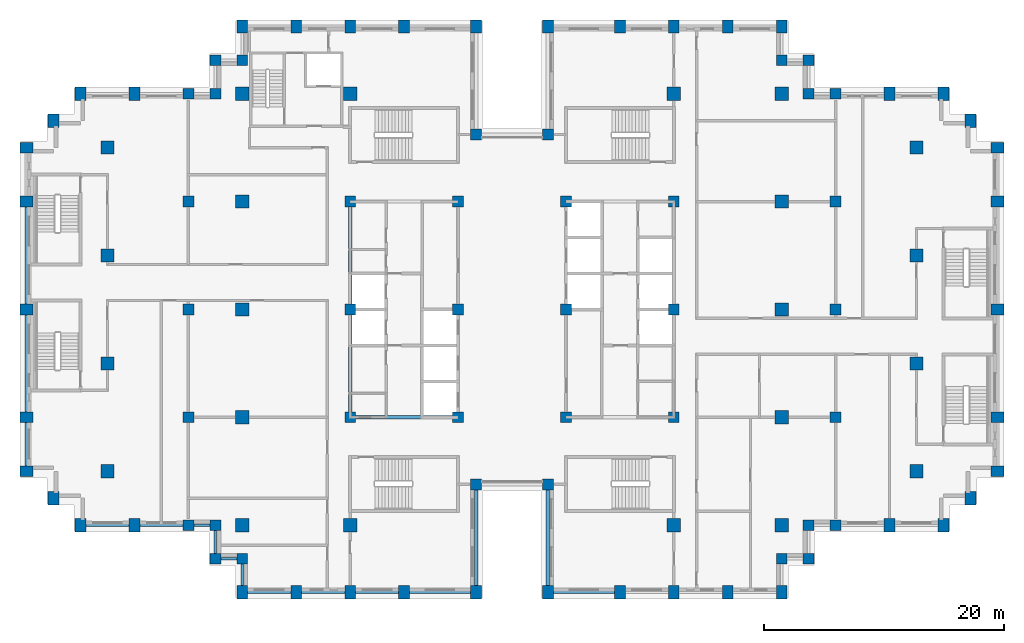
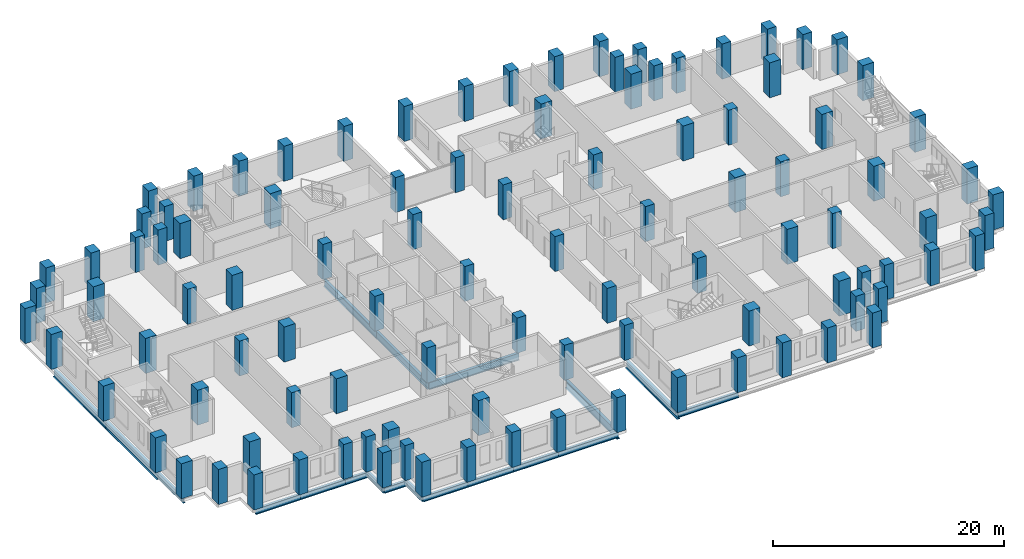
# One storey, part 1 of 15: 102 columns, 19 beams.
"""IFC4 building model written with IfcOpenShell, lengths in metres."""

from ifc_helpers import new_model, si_unit, direction, frame, origin, origin_2d, place, context, subcontext, project, spatial, rectangle, i_section, extrude, material, material_profile, profile_set, type_object, element, save


model = new_model("IFC4")

# Units and contexts
model_context = context("Model", 3, precision=1e-05, world=origin(), true_north=direction((0.0, 1.0)))
body_context = subcontext(model_context, "Body", "Model", "MODEL_VIEW")
ifc_project = project(units=[si_unit("LENGTHUNIT", "METRE"), si_unit("AREAUNIT", "SQUARE_METRE"), si_unit("VOLUMEUNIT", "CUBIC_METRE"), si_unit("PLANEANGLEUNIT", "RADIAN"), si_unit("MASSUNIT", "GRAM", prefix="KILO")], contexts=[model_context])

# Site, building, storey
site_placement = place(None, origin())
site = spatial("IfcSite", under=ifc_project, at=site_placement, CompositionType="ELEMENT")
building_placement = place(site_placement, origin())
building = spatial("IfcBuilding", under=site, at=building_placement, Name="Corbelhall Arena Tower", CompositionType="ELEMENT")
storey_placement = place(building_placement, frame((0.0, 0.0, 142.0)))
storey = spatial("IfcBuildingStorey", under=building, at=storey_placement, Name="L27", CompositionType="ELEMENT", Elevation=142.0)

# Columns
ifc_material_1 = material(Name="Concrete C80/95", Category="concrete")
ifc_material_profile_1 = material_profile(ifc_material_1, rectangle(XDim=1.10009765625, YDim=1.10009765625, at=origin_2d()))
ifc_profile_set_1 = profile_set([ifc_material_profile_1], Name="Concrete C80/95")
column_type_1 = type_object("IfcColumnType", Name="ST-COL-RC 1100x1100", PredefinedType="COLUMN", material=ifc_profile_set_1)
for number, where, z_axis, x_axis, name in (
    (1, (-33.75, 4.5, 0.0), (0.0, 0.0, 1.0), (1.0, 0.0, 0.0), "Column FIC+0450"),
    (2, (-33.75, 13.5, 0.0), (0.0, 0.0, 1.0), (1.0, 0.0, 0.0), "Column FIC+1350"),
    (3, (-33.75, -4.5, 0.0), (0.0, 0.0, 1.0), (1.0, 0.0, 0.0), "Column FIC-0450"),
    (4, (-33.75, -13.5, 0.0), (0.0, 0.0, 1.0), (1.0, 0.0, 0.0), "Column FIC-1350"),
    (5, (33.75, 4.5, 0.0), (0.0, 0.0, 1.0), (1.0, 0.0, 0.0), "Column FID+0450"),
    (6, (33.75, 13.5, 0.0), (0.0, 0.0, 1.0), (1.0, 0.0, 0.0), "Column FID+1350"),
    (7, (33.75, -4.5, 0.0), (0.0, 0.0, 1.0), (1.0, 0.0, 0.0), "Column FID-0450"),
    (8, (33.75, -13.5, 0.0), (0.0, 0.0, 1.0), (1.0, 0.0, 0.0), "Column FID-1350"),
    (9, (13.5, 18.0, 0.0), (0.0, 0.0, 1.0), (1.0, 0.0, 0.0), "Column IE13+1800"),
    (10, (13.5, -18.0, 0.0), (0.0, 0.0, 1.0), (1.0, 0.0, 0.0), "Column IE13-1800"),
    (11, (22.5, 0.0, 0.0), (0.0, 0.0, 1.0), (1.0, 0.0, 0.0), "Column IE22+0000"),
    (12, (22.5, 9.0, 0.0), (0.0, 0.0, 1.0), (1.0, 0.0, 0.0), "Column IE22+0900"),
    (13, (22.5, 18.0, 0.0), (0.0, 0.0, 1.0), (1.0, 0.0, 0.0), "Column IE22+1800"),
    (14, (22.5, -9.0, 0.0), (0.0, 0.0, 1.0), (1.0, 0.0, 0.0), "Column IE22-0900"),
    (15, (22.5, -18.0, 0.0), (0.0, 0.0, 1.0), (1.0, 0.0, 0.0), "Column IE22-1800"),
    (16, (-13.5, 18.0, 0.0), (0.0, 0.0, 1.0), (1.0, 0.0, 0.0), "Column IW13+1800"),
    (17, (-13.5, -18.0, 0.0), (0.0, 0.0, 1.0), (1.0, 0.0, 0.0), "Column IW13-1800"),
    (18, (-22.5, 0.0, 0.0), (0.0, 0.0, 1.0), (1.0, 0.0, 0.0), "Column IW22+0000"),
    (19, (-22.5, 9.0, 0.0), (0.0, 0.0, 1.0), (1.0, 0.0, 0.0), "Column IW22+0900"),
    (20, (-22.5, 18.0, 0.0), (0.0, 0.0, 1.0), (1.0, 0.0, 0.0), "Column IW22+1800"),
    (21, (-22.5, -9.0, 0.0), (0.0, 0.0, 1.0), (1.0, 0.0, 0.0), "Column IW22-0900"),
    (22, (-22.5, -18.0, 0.0), (0.0, 0.0, 1.0), (1.0, 0.0, 0.0), "Column IW22-1800"),
):
    element("IfcColumn", number, at=place(storey_placement, frame(where, z_axis=z_axis, x_axis=x_axis)), inside=storey, type_object=column_type_1, Name=name, PredefinedType="COLUMN", context=body_context, shape_type="SweptSolid", body=[
        extrude(rectangle(XDim=1.10009765625, YDim=1.10009765625, at=origin_2d()), origin(), (0.0, 0.0, 1.0), 3.699951171875),
    ])
ifc_material_profile_2 = material_profile(ifc_material_1, rectangle(XDim=0.89990234375, YDim=1.10009765625, at=origin_2d()))
ifc_profile_set_2 = profile_set([ifc_material_profile_2], Name="Concrete C80/95")
column_type_2 = type_object("IfcColumnType", Name="ST-COL-RC 900x1100", PredefinedType="COLUMN", material=ifc_profile_set_2)
for number, where, z_axis, x_axis, name in (
    (23, (-40.5, 0.0, 0.0), (0.0, 0.0, 1.0), (0.0, 1.0, 0.0), "Column FC+0000"),
    (24, (-40.5, 9.0, 0.0), (0.0, 0.0, 1.0), (0.0, 1.0, 0.0), "Column FC+0900"),
    (25, (-40.5, 13.5, 0.0), (0.0, 0.0, 1.0), (0.0, 1.0, 0.0), "Column FC+1350"),
    (26, (-40.5, -9.0, 0.0), (0.0, 0.0, 1.0), (0.0, 1.0, 0.0), "Column FC-0900"),
    (27, (-40.5, -13.5, 0.0), (0.0, 0.0, 1.0), (0.0, 1.0, 0.0), "Column FC-1350"),
    (28, (-38.25, 15.75, 0.0), (0.0, 0.0, 1.0), (1.0, 0.0, 0.0), "Column FCCN"),
    (29, (-38.25, -15.75, 0.0), (0.0, 0.0, 1.0), (1.0, 0.0, 0.0), "Column FCCS"),
    (30, (-31.5, 18.0, 0.0), (0.0, 0.0, 1.0), (1.0, 0.0, 0.0), "Column FCN3150"),
    (31, (-36.0, 18.0, 0.0), (0.0, 0.0, 1.0), (1.0, 0.0, 0.0), "Column FCN3600"),
    (32, (-31.5, -18.0, 0.0), (0.0, 0.0, 1.0), (1.0, 0.0, 0.0), "Column FCS3150"),
    (33, (-36.0, -18.0, 0.0), (0.0, 0.0, 1.0), (1.0, 0.0, 0.0), "Column FCS3600"),
    (34, (40.5, 0.0, 0.0), (0.0, 0.0, 1.0), (0.0, 1.0, 0.0), "Column FD+0000"),
    (35, (40.5, 9.0, 0.0), (0.0, 0.0, 1.0), (0.0, 1.0, 0.0), "Column FD+0900"),
    (36, (40.5, 13.5, 0.0), (0.0, 0.0, 1.0), (0.0, 1.0, 0.0), "Column FD+1350"),
    (37, (40.5, -9.0, 0.0), (0.0, 0.0, 1.0), (0.0, 1.0, 0.0), "Column FD-0900"),
    (38, (40.5, -13.5, 0.0), (0.0, 0.0, 1.0), (0.0, 1.0, 0.0), "Column FD-1350"),
    (39, (38.25, 15.75, 0.0), (0.0, 0.0, 1.0), (1.0, 0.0, 0.0), "Column FDCN"),
    (40, (38.25, -15.75, 0.0), (0.0, 0.0, 1.0), (1.0, 0.0, 0.0), "Column FDCS"),
    (41, (31.5, 18.0, 0.0), (0.0, 0.0, 1.0), (1.0, 0.0, 0.0), "Column FDN3150"),
    (42, (36.0, 18.0, 0.0), (0.0, 0.0, 1.0), (1.0, 0.0, 0.0), "Column FDN3600"),
    (43, (31.5, -18.0, 0.0), (0.0, 0.0, 1.0), (1.0, 0.0, 0.0), "Column FDS3150"),
    (44, (36.0, -18.0, 0.0), (0.0, 0.0, 1.0), (1.0, 0.0, 0.0), "Column FDS3600"),
    (45, (3.0, 23.60009765625, 0.0), (0.0, 0.0, 1.0), (1.0, 0.0, 0.0), "Column PNE0300"),
    (46, (9.0, 23.60009765625, 0.0), (0.0, 0.0, 1.0), (1.0, 0.0, 0.0), "Column PNE0900"),
    (47, (13.5, 23.60009765625, 0.0), (0.0, 0.0, 1.0), (1.0, 0.0, 0.0), "Column PNE1350"),
    (48, (18.0, 23.60009765625, 0.0), (0.0, 0.0, 1.0), (1.0, 0.0, 0.0), "Column PNE1800"),
    (49, (22.5, 23.60009765625, 0.0), (0.0, 0.0, 1.0), (1.0, 0.0, 0.0), "Column PNE2250"),
    (50, (-3.0, 23.60009765625, 0.0), (0.0, 0.0, 1.0), (1.0, 0.0, 0.0), "Column PNW0300"),
    (51, (-9.0, 23.60009765625, 0.0), (0.0, 0.0, 1.0), (1.0, 0.0, 0.0), "Column PNW0900"),
    (52, (-13.5, 23.60009765625, 0.0), (0.0, 0.0, 1.0), (1.0, 0.0, 0.0), "Column PNW1350"),
    (53, (-18.0, 23.60009765625, 0.0), (0.0, 0.0, 1.0), (1.0, 0.0, 0.0), "Column PNW1800"),
    (54, (-22.5, 23.60009765625, 0.0), (0.0, 0.0, 1.0), (1.0, 0.0, 0.0), "Column PNW2250"),
    (55, (3.0, -23.60009765625, 0.0), (0.0, 0.0, 1.0), (1.0, 0.0, 0.0), "Column PSE0300"),
    (56, (9.0, -23.60009765625, 0.0), (0.0, 0.0, 1.0), (1.0, 0.0, 0.0), "Column PSE0900"),
    (57, (13.5, -23.60009765625, 0.0), (0.0, 0.0, 1.0), (1.0, 0.0, 0.0), "Column PSE1350"),
    (58, (18.0, -23.60009765625, 0.0), (0.0, 0.0, 1.0), (1.0, 0.0, 0.0), "Column PSE1800"),
    (59, (22.5, -23.60009765625, 0.0), (0.0, 0.0, 1.0), (1.0, 0.0, 0.0), "Column PSE2250"),
    (60, (-3.0, -23.60009765625, 0.0), (0.0, 0.0, 1.0), (1.0, 0.0, 0.0), "Column PSW0300"),
    (61, (-9.0, -23.60009765625, 0.0), (0.0, 0.0, 1.0), (1.0, 0.0, 0.0), "Column PSW0900"),
    (62, (-13.5, -23.60009765625, 0.0), (0.0, 0.0, 1.0), (1.0, 0.0, 0.0), "Column PSW1350"),
    (63, (-18.0, -23.60009765625, 0.0), (0.0, 0.0, 1.0), (1.0, 0.0, 0.0), "Column PSW1800"),
    (64, (-22.5, -23.60009765625, 0.0), (0.0, 0.0, 1.0), (1.0, 0.0, 0.0), "Column PSW2250"),
):
    element("IfcColumn", number, at=place(storey_placement, frame(where, z_axis=z_axis, x_axis=x_axis)), inside=storey, type_object=column_type_2, Name=name, PredefinedType="COLUMN", context=body_context, shape_type="SweptSolid", body=[
        extrude(rectangle(XDim=0.89990234375, YDim=1.10009765625, at=origin_2d()), origin(), (0.0, 0.0, 1.0), 3.699951171875),
    ])
ifc_material_profile_3 = material_profile(ifc_material_1, rectangle(XDim=0.89990234375, YDim=0.89990234375, at=origin_2d()))
ifc_profile_set_3 = profile_set([ifc_material_profile_3], Name="Concrete C80/95")
column_type_3 = type_object("IfcColumnType", Name="ST-COL-RC 900x900", PredefinedType="COLUMN", material=ifc_profile_set_3)
for number, where, z_axis, x_axis, name in (
    (65, (4.5, 0.0, 0.0), (0.0, 0.0, 1.0), (1.0, 0.0, 0.0), "Column KE+0450+0000"),
    (66, (4.5, 9.0, 0.0), (0.0, 0.0, 1.0), (1.0, 0.0, 0.0), "Column KE+0450+0900"),
    (67, (4.5, -9.0, 0.0), (0.0, 0.0, 1.0), (1.0, 0.0, 0.0), "Column KE+0450-0900"),
    (68, (13.5, 0.0, 0.0), (0.0, 0.0, 1.0), (1.0, 0.0, 0.0), "Column KE+1350+0000"),
    (69, (13.5, 9.0, 0.0), (0.0, 0.0, 1.0), (1.0, 0.0, 0.0), "Column KE+1350+0900"),
    (70, (13.5, -9.0, 0.0), (0.0, 0.0, 1.0), (1.0, 0.0, 0.0), "Column KE+1350-0900"),
    (71, (-4.5, 0.0, 0.0), (0.0, 0.0, 1.0), (1.0, 0.0, 0.0), "Column KW-0450+0000"),
    (72, (-4.5, 9.0, 0.0), (0.0, 0.0, 1.0), (1.0, 0.0, 0.0), "Column KW-0450+0900"),
    (73, (-4.5, -9.0, 0.0), (0.0, 0.0, 1.0), (1.0, 0.0, 0.0), "Column KW-0450-0900"),
    (74, (-13.5, 0.0, 0.0), (0.0, 0.0, 1.0), (1.0, 0.0, 0.0), "Column KW-1350+0000"),
    (75, (-13.5, 9.0, 0.0), (0.0, 0.0, 1.0), (1.0, 0.0, 0.0), "Column KW-1350+0900"),
    (76, (-13.5, -9.0, 0.0), (0.0, 0.0, 1.0), (1.0, 0.0, 0.0), "Column KW-1350-0900"),
    (77, (27.0, 0.0, 0.0), (0.0, 0.0, 1.0), (1.0, 0.0, 0.0), "Column PE+0000"),
    (78, (27.0, 9.0, 0.0), (0.0, 0.0, 1.0), (1.0, 0.0, 0.0), "Column PE+0900"),
    (79, (27.0, 18.0, 0.0), (0.0, 0.0, 1.0), (1.0, 0.0, 0.0), "Column PE+1800"),
    (80, (27.0, -9.0, 0.0), (0.0, 0.0, 1.0), (1.0, 0.0, 0.0), "Column PE-0900"),
    (81, (27.0, -18.0, 0.0), (0.0, 0.0, 1.0), (1.0, 0.0, 0.0), "Column PE-1800"),
    (82, (-27.0, 0.0, 0.0), (0.0, 0.0, 1.0), (1.0, 0.0, 0.0), "Column PW+0000"),
    (83, (-27.0, 9.0, 0.0), (0.0, 0.0, 1.0), (1.0, 0.0, 0.0), "Column PW+0900"),
    (84, (-27.0, 18.0, 0.0), (0.0, 0.0, 1.0), (1.0, 0.0, 0.0), "Column PW+1800"),
    (85, (-27.0, -9.0, 0.0), (0.0, 0.0, 1.0), (1.0, 0.0, 0.0), "Column PW-0900"),
    (86, (-27.0, -18.0, 0.0), (0.0, 0.0, 1.0), (1.0, 0.0, 0.0), "Column PW-1800"),
    (87, (3.0, 14.60009765625, 0.0), (0.0, 0.0, 1.0), (1.0, 0.0, 0.0), "Column SLNE2"),
    (88, (-3.0, 14.60009765625, 0.0), (0.0, 0.0, 1.0), (1.0, 0.0, 0.0), "Column SLNW2"),
    (89, (3.0, -14.60009765625, 0.0), (0.0, 0.0, 1.0), (1.0, 0.0, 0.0), "Column SLSE2"),
    (90, (-3.0, -14.60009765625, 0.0), (0.0, 0.0, 1.0), (1.0, 0.0, 0.0), "Column SLSW2"),
    (91, (22.5, 20.800048828125, 0.0), (0.0, 0.0, 1.0), (1.0, 0.0, 0.0), "Column XNE1"),
    (92, (24.75, 20.800048828125, 0.0), (0.0, 0.0, 1.0), (1.0, 0.0, 0.0), "Column XNE2"),
    (93, (24.75, 18.0, 0.0), (0.0, 0.0, 1.0), (1.0, 0.0, 0.0), "Column XNE3"),
    (94, (-22.5, 20.800048828125, 0.0), (0.0, 0.0, 1.0), (1.0, 0.0, 0.0), "Column XNW1"),
    (95, (-24.75, 20.800048828125, 0.0), (0.0, 0.0, 1.0), (1.0, 0.0, 0.0), "Column XNW2"),
    (96, (-24.75, 18.0, 0.0), (0.0, 0.0, 1.0), (1.0, 0.0, 0.0), "Column XNW3"),
    (97, (22.5, -20.800048828125, 0.0), (0.0, 0.0, 1.0), (1.0, 0.0, 0.0), "Column XSE1"),
    (98, (24.75, -20.800048828125, 0.0), (0.0, 0.0, 1.0), (1.0, 0.0, 0.0), "Column XSE2"),
    (99, (24.75, -18.0, 0.0), (0.0, 0.0, 1.0), (1.0, 0.0, 0.0), "Column XSE3"),
    (100, (-22.5, -20.800048828125, 0.0), (0.0, 0.0, 1.0), (1.0, 0.0, 0.0), "Column XSW1"),
    (101, (-24.75, -20.800048828125, 0.0), (0.0, 0.0, 1.0), (1.0, 0.0, 0.0), "Column XSW2"),
    (102, (-24.75, -18.0, 0.0), (0.0, 0.0, 1.0), (1.0, 0.0, 0.0), "Column XSW3"),
):
    element("IfcColumn", number, at=place(storey_placement, frame(where, z_axis=z_axis, x_axis=x_axis)), inside=storey, type_object=column_type_3, Name=name, PredefinedType="COLUMN", context=body_context, shape_type="SweptSolid", body=[
        extrude(rectangle(XDim=0.89990234375, YDim=0.89990234375, at=origin_2d()), origin(), (0.0, 0.0, 1.0), 3.699951171875),
    ])

# Beams
ifc_material_2 = material(Name="Steel ASTM A992 Gr50", Category="steel")
ifc_material_profile_4 = material_profile(ifc_material_2, i_section(OverallWidth=0.2666015625, OverallDepth=0.761962890625, WebThickness=0.014404296875, FlangeThickness=0.021484375, at=origin_2d()))
ifc_profile_set_4 = profile_set([ifc_material_profile_4], Name="Steel ASTM A992 Gr50")
beam_type_1 = type_object("IfcBeamType", Name="ST-BEAM-W30x116", PredefinedType="BEAM", material=ifc_profile_set_4)
for number, where, z_axis, x_axis, name in (
    (103, (-13.5, -9.0, -0.680908203125), (0.0, 1.0, 0.0), (-1.0, 0.0, 0.0), "Beam CEW 1"),
    (104, (-13.5, 0.0, -0.680908203125), (0.0, 1.0, 0.0), (-1.0, 0.0, 0.0), "Beam CEW 2"),
    (105, (-13.5, -9.0, -0.680908203125), (1.0, 0.0, 0.0), (0.0, 1.0, 0.0), "Beam CEW 5"),
):
    element("IfcBeam", number, at=place(storey_placement, frame(where, z_axis=z_axis, x_axis=x_axis)), inside=storey, type_object=beam_type_1, Name=name, PredefinedType="BEAM", context=body_context, shape_type="SweptSolid", body=[
        extrude(i_section(OverallWidth=0.2666015625, OverallDepth=0.761962890625, WebThickness=0.014404296875, FlangeThickness=0.021484375, at=origin_2d()), origin(), (0.0, 0.0, 1.0), 9.0),
    ])
ifc_material_profile_5 = material_profile(ifc_material_2, i_section(OverallWidth=0.22900390625, OverallDepth=0.612060546875, WebThickness=0.011962890625, FlangeThickness=0.01953125, at=origin_2d()))
ifc_profile_set_5 = profile_set([ifc_material_profile_5], Name="Steel ASTM A992 Gr50")
beam_type_2 = type_object("IfcBeamType", Name="ST-SPANDREL-W24x84", PredefinedType="SPANDREL", material=ifc_profile_set_5)
for number, where, z_axis, x_axis, name in (
    (106, (-40.5, -13.5, -0.60595703125), (0.0, 1.0, 0.0), (-1.0, 0.0, 0.0), "Beam SP 4"),
    (107, (-31.5, -18.0, -0.60595703125), (-1.0, 0.0, 0.0), (0.0, -1.0, 0.0), "Beam SP 7"),
):
    element("IfcBeam", number, at=place(storey_placement, frame(where, z_axis=z_axis, x_axis=x_axis)), inside=storey, type_object=beam_type_2, Name=name, PredefinedType="SPANDREL", context=body_context, shape_type="SweptSolid", body=[
        extrude(i_section(OverallWidth=0.22900390625, OverallDepth=0.612060546875, WebThickness=0.011962890625, FlangeThickness=0.01953125, at=origin_2d()), origin(), (0.0, 0.0, 1.0), 4.5),
    ])
for number, where, z_axis, x_axis, name in (
    (108, (9.0, -23.60009765625, -0.60595703125), (-1.0, 0.0, 0.0), (0.0, -1.0, 0.0), "Beam SP 28"),
    (109, (-3.0, -23.60009765625, -0.60595703125), (-1.0, 0.0, 0.0), (0.0, -1.0, 0.0), "Beam SP 32"),
):
    element("IfcBeam", number, at=place(storey_placement, frame(where, z_axis=z_axis, x_axis=x_axis)), inside=storey, type_object=beam_type_2, Name=name, PredefinedType="SPANDREL", context=body_context, shape_type="SweptSolid", body=[
        extrude(i_section(OverallWidth=0.22900390625, OverallDepth=0.612060546875, WebThickness=0.011962890625, FlangeThickness=0.01953125, at=origin_2d()), origin(), (0.0, 0.0, 1.0), 6.0),
    ])
for number, where, z_axis, x_axis, name in (
    (110, (-9.0, -23.60009765625, -0.60595703125), (-1.0, 0.0, 0.0), (0.0, -1.0, 0.0), "Beam SP 33"),
    (111, (-13.5, -23.60009765625, -0.60595703125), (-1.0, 0.0, 0.0), (0.0, -1.0, 0.0), "Beam SP 34"),
    (112, (-18.0, -23.60009765625, -0.60595703125), (-1.0, 0.0, 0.0), (0.0, -1.0, 0.0), "Beam SP 35"),
):
    element("IfcBeam", number, at=place(storey_placement, frame(where, z_axis=z_axis, x_axis=x_axis)), inside=storey, type_object=beam_type_2, Name=name, PredefinedType="SPANDREL", context=body_context, shape_type="SweptSolid", body=[
        extrude(i_section(OverallWidth=0.22900390625, OverallDepth=0.612060546875, WebThickness=0.011962890625, FlangeThickness=0.01953125, at=origin_2d()), origin(), (0.0, 0.0, 1.0), 4.5),
    ])
beam_1_placement = place(storey_placement, frame((-22.5, -23.60009765625, -0.60595703125), z_axis=(0.0, 1.0, 0.0), x_axis=(-1.0, 0.0, 0.0)))
element("IfcBeam", 113, at=beam_1_placement, inside=storey, type_object=beam_type_2, Name="Beam SP 36", PredefinedType="SPANDREL", context=body_context, shape_type="SweptSolid", body=[
    extrude(i_section(OverallWidth=0.22900390625, OverallDepth=0.612060546875, WebThickness=0.011962890625, FlangeThickness=0.01953125, at=origin_2d()), origin(), (0.0, 0.0, 1.0), 2.800048828125),
])
beam_2_placement = place(storey_placement, frame((-27.0, -18.0, -0.60595703125), z_axis=(-1.0, 0.0, 0.0), x_axis=(0.0, -1.0, 0.0)))
element("IfcBeam", 114, at=beam_2_placement, inside=storey, type_object=beam_type_2, Name="Beam SP 38", PredefinedType="SPANDREL", context=body_context, shape_type="SweptSolid", body=[
    extrude(i_section(OverallWidth=0.22900390625, OverallDepth=0.612060546875, WebThickness=0.011962890625, FlangeThickness=0.01953125, at=origin_2d()), origin(), (0.0, 0.0, 1.0), 4.5),
])
beam_3_placement = place(storey_placement, frame((-22.5, -20.800048828125, -0.60595703125), z_axis=(-1.0, 0.0, 0.0), x_axis=(0.0, -1.0, 0.0)))
element("IfcBeam", 115, at=beam_3_placement, inside=storey, type_object=beam_type_2, Name="Beam SP 52", PredefinedType="SPANDREL", context=body_context, shape_type="SweptSolid", body=[
    extrude(i_section(OverallWidth=0.22900390625, OverallDepth=0.612060546875, WebThickness=0.011962890625, FlangeThickness=0.01953125, at=origin_2d()), origin(), (0.0, 0.0, 1.0), 2.25),
])
beam_4_placement = place(storey_placement, frame((-24.75, -20.800048828125, -0.60595703125), z_axis=(0.0, 1.0, 0.0), x_axis=(-1.0, 0.0, 0.0)))
element("IfcBeam", 116, at=beam_4_placement, inside=storey, type_object=beam_type_2, Name="Beam SP 53", PredefinedType="SPANDREL", context=body_context, shape_type="SweptSolid", body=[
    extrude(i_section(OverallWidth=0.22900390625, OverallDepth=0.612060546875, WebThickness=0.011962890625, FlangeThickness=0.01953125, at=origin_2d()), origin(), (0.0, 0.0, 1.0), 2.800048828125),
])
beam_5_placement = place(storey_placement, frame((-24.75, -18.0, -0.60595703125), z_axis=(-1.0, 0.0, 0.0), x_axis=(0.0, -1.0, 0.0)))
element("IfcBeam", 117, at=beam_5_placement, inside=storey, type_object=beam_type_2, Name="Beam SP 54", PredefinedType="SPANDREL", context=body_context, shape_type="SweptSolid", body=[
    extrude(i_section(OverallWidth=0.22900390625, OverallDepth=0.612060546875, WebThickness=0.011962890625, FlangeThickness=0.01953125, at=origin_2d()), origin(), (0.0, 0.0, 1.0), 2.25),
])
ifc_material_profile_6 = material_profile(ifc_material_2, i_section(OverallWidth=0.2919921875, OverallDepth=0.845703125, WebThickness=0.015380859375, FlangeThickness=0.0244140625, at=origin_2d()))
ifc_profile_set_6 = profile_set([ifc_material_profile_6], Name="Steel ASTM A992 Gr50")
beam_type_3 = type_object("IfcBeamType", Name="ST-SPANDREL-W33x141", PredefinedType="SPANDREL", material=ifc_profile_set_6)
for number, where, z_axis, x_axis, name in (
    (118, (-40.5, 0.0, -0.722900390625), (0.0, 1.0, 0.0), (-1.0, 0.0, 0.0), "Beam SP 1"),
    (119, (-40.5, -9.0, -0.722900390625), (0.0, 1.0, 0.0), (-1.0, 0.0, 0.0), "Beam SP 3"),
    (120, (3.0, -23.60009765625, -0.722900390625), (0.0, 1.0, 0.0), (-1.0, 0.0, 0.0), "Beam SP 27"),
    (121, (-3.0, -14.60009765625, -0.722900390625), (0.0, -1.0, 0.0), (1.0, 0.0, 0.0), "Beam SP 42"),
):
    element("IfcBeam", number, at=place(storey_placement, frame(where, z_axis=z_axis, x_axis=x_axis)), inside=storey, type_object=beam_type_3, Name=name, PredefinedType="SPANDREL", context=body_context, shape_type="SweptSolid", body=[
        extrude(i_section(OverallWidth=0.2919921875, OverallDepth=0.845703125, WebThickness=0.015380859375, FlangeThickness=0.0244140625, at=origin_2d()), origin(), (0.0, 0.0, 1.0), 9.0),
    ])

save(model, "model.ifc")
